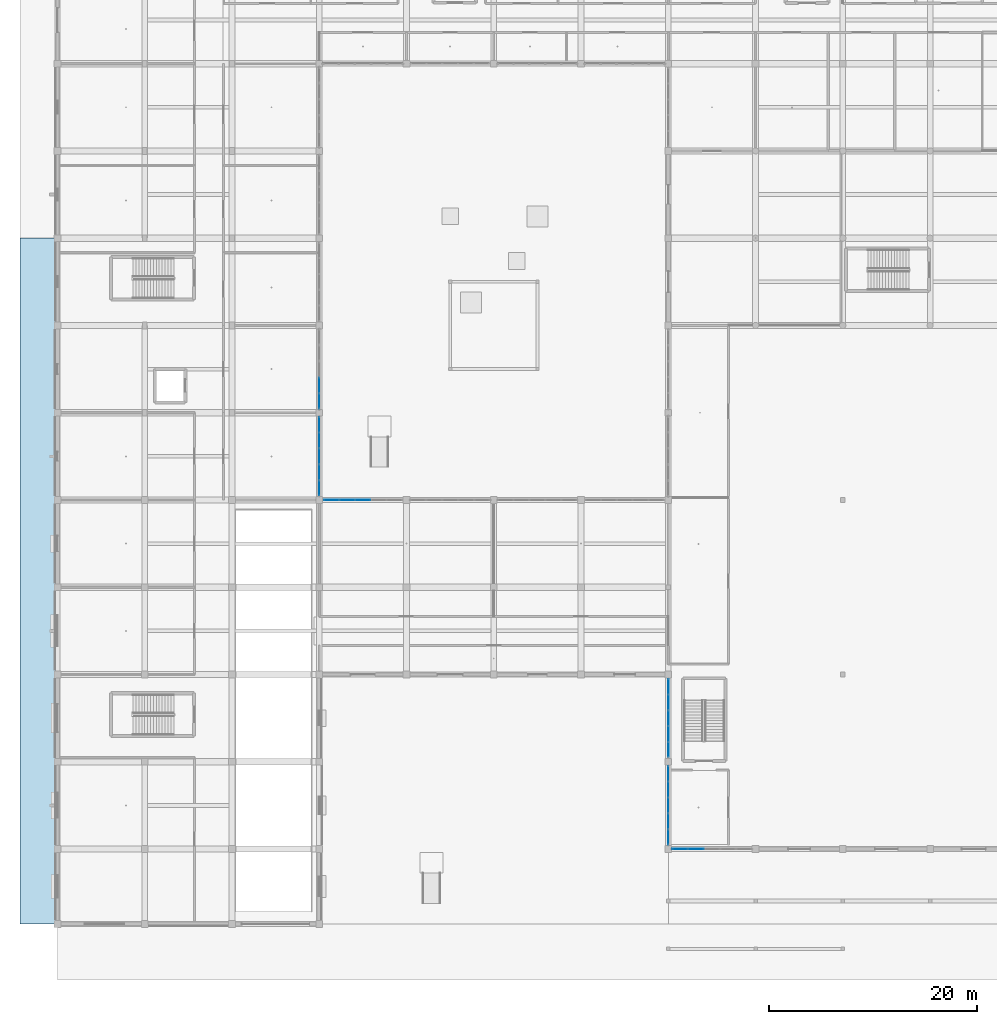
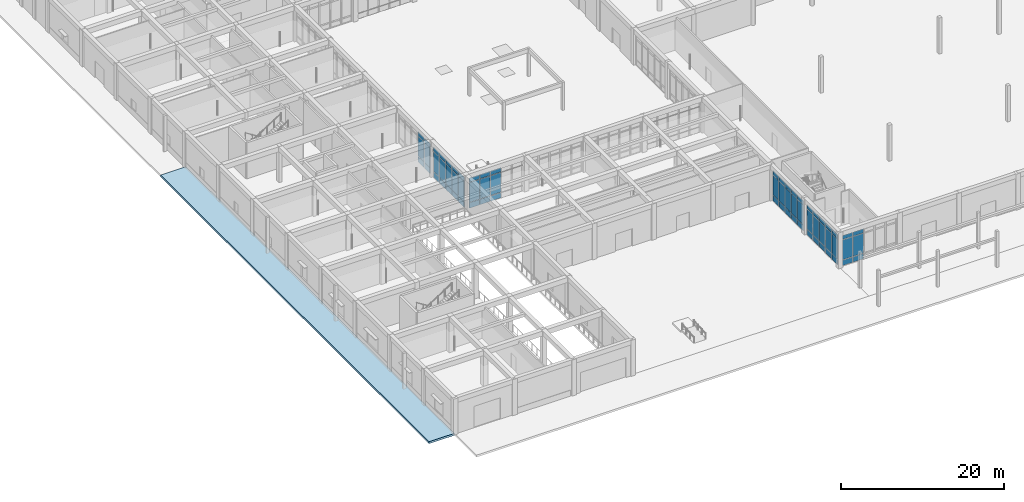
# One storey, part 45 of 167: 66 plates, 1 slab, 6 elements without a shape of their own.
"""IFC4 building model written with IfcOpenShell, lengths in metres."""

from ifc_helpers import new_model, si_unit, direction, frame, origin, origin_2d, place, context, subcontext, project, spatial, polyline, rectangle, outline, extrude, material, layer, layer_set, type_object, element, aggregate, save


model = new_model("IFC4")

# Units and contexts
model_context = context("Model", 3, precision=1e-05, world=origin(), true_north=direction((0.0, 1.0)))
body_context = subcontext(model_context, "Body", "Model", "MODEL_VIEW")
ifc_project = project(units=[si_unit("LENGTHUNIT", "METRE"), si_unit("AREAUNIT", "SQUARE_METRE"), si_unit("VOLUMEUNIT", "CUBIC_METRE"), si_unit("PLANEANGLEUNIT", "RADIAN"), si_unit("MASSUNIT", "GRAM", prefix="KILO")], contexts=[model_context])

# Site, building, storey
site_placement = place(None, origin())
site = spatial("IfcSite", under=ifc_project, at=site_placement, CompositionType="ELEMENT")
building_placement = place(site_placement, origin())
building = spatial("IfcBuilding", under=site, at=building_placement, Name="Varncliffe General Hospital", CompositionType="ELEMENT")
storey_placement = place(building_placement, origin())
storey = spatial("IfcBuildingStorey", under=building, at=storey_placement, Name="L00", CompositionType="ELEMENT", Elevation=0.0)

# Curtain wall, plates
ifc_material_1 = material(Name="Triple low-E argon insulated vision glazing", Category="glass")
curtain_wall_type_1 = type_object("IfcCurtainWallType", Name="Unitised Glazed Curtain Wall CW26 (7594x4640)", PredefinedType="USERDEFINED", material=ifc_material_1)
curtain_wall_1_placement = place(storey_placement, origin())
curtain_wall_1 = element("IfcCurtainWall", 1, at=curtain_wall_1_placement, inside=storey, type_object=curtain_wall_type_1, Name="L00 Glazed Curtain Wall CW26-11", ObjectType="GLAZED CURTAIN WALL", PredefinedType="USERDEFINED")
ifc_layer_1 = layer(ifc_material_1, 0.0439453125)
ifc_layer_set_1 = layer_set([ifc_layer_1], Name="Triple low-E argon insulated vision glazing")
plate_type_1 = type_object("IfcPlateType", Name="Curtain Wall Glazing Panel CP12 (44mm)", PredefinedType="CURTAIN_PANEL", material=ifc_layer_set_1)
plate_1_placement = place(storey_placement, frame((58.800048828125, 16.778564453125, 0.06005859375), z_axis=(0.0, 0.0, 1.0), x_axis=(0.0, 1.0, 0.0)))
plate_1 = element("IfcPlate", 2, at=plate_1_placement, type_object=plate_type_1, Name="CW26 panel 1.1", PredefinedType="CURTAIN_PANEL", context=body_context, shape_type="SweptSolid", body=[
    extrude(rectangle(XDim=1.42138671875, YDim=0.0439453125, at=origin_2d()), origin(), (0.0, 0.0, 1.0), 0.81005859375),
])
plate_2_placement = place(storey_placement, frame((58.800048828125, 16.778564453125, 0.929931640625), z_axis=(0.0, 0.0, 1.0), x_axis=(0.0, 1.0, 0.0)))
plate_2 = element("IfcPlate", 3, at=plate_2_placement, type_object=plate_type_1, Name="CW26 panel 1.2", PredefinedType="CURTAIN_PANEL", context=body_context, shape_type="SweptSolid", body=[
    extrude(rectangle(XDim=1.42138671875, YDim=0.0439453125, at=origin_2d()), origin(), (0.0, 0.0, 1.0), 2.97998046875),
])
plate_3_placement = place(storey_placement, frame((58.800048828125, 16.778564453125, 3.9697265625), z_axis=(0.0, 0.0, 1.0), x_axis=(0.0, 1.0, 0.0)))
plate_3 = element("IfcPlate", 4, at=plate_3_placement, type_object=plate_type_1, Name="CW26 panel 1.3", PredefinedType="CURTAIN_PANEL", context=body_context, shape_type="SweptSolid", body=[
    extrude(rectangle(XDim=1.42138671875, YDim=0.0439453125, at=origin_2d()), origin(), (0.0, 0.0, 1.0), 0.610107421875),
])
plate_4_placement = place(storey_placement, frame((58.800048828125, 18.28125, 0.06005859375), z_axis=(0.0, 0.0, 1.0), x_axis=(0.0, 1.0, 0.0)))
plate_4 = element("IfcPlate", 5, at=plate_4_placement, type_object=plate_type_1, Name="CW26 panel 2.1", PredefinedType="CURTAIN_PANEL", context=body_context, shape_type="SweptSolid", body=[
    extrude(rectangle(XDim=1.453857421875, YDim=0.0439453125, at=origin_2d()), origin(), (0.0, 0.0, 1.0), 0.81005859375),
])
plate_5_placement = place(storey_placement, frame((58.800048828125, 18.28125, 0.929931640625), z_axis=(0.0, 0.0, 1.0), x_axis=(0.0, 1.0, 0.0)))
plate_5 = element("IfcPlate", 6, at=plate_5_placement, type_object=plate_type_1, Name="CW26 panel 2.2", PredefinedType="CURTAIN_PANEL", context=body_context, shape_type="SweptSolid", body=[
    extrude(rectangle(XDim=1.453857421875, YDim=0.0439453125, at=origin_2d()), origin(), (0.0, 0.0, 1.0), 2.97998046875),
])
plate_6_placement = place(storey_placement, frame((58.800048828125, 18.28125, 3.9697265625), z_axis=(0.0, 0.0, 1.0), x_axis=(0.0, 1.0, 0.0)))
plate_6 = element("IfcPlate", 7, at=plate_6_placement, type_object=plate_type_1, Name="CW26 panel 2.3", PredefinedType="CURTAIN_PANEL", context=body_context, shape_type="SweptSolid", body=[
    extrude(rectangle(XDim=1.453857421875, YDim=0.0439453125, at=origin_2d()), origin(), (0.0, 0.0, 1.0), 0.610107421875),
])
plate_7_placement = place(storey_placement, frame((58.800048828125, 19.800048828125, 0.06005859375), z_axis=(0.0, 0.0, 1.0), x_axis=(0.0, 1.0, 0.0)))
plate_7 = element("IfcPlate", 8, at=plate_7_placement, type_object=plate_type_1, Name="CW26 panel 3.1", PredefinedType="CURTAIN_PANEL", context=body_context, shape_type="SweptSolid", body=[
    extrude(rectangle(XDim=1.453857421875, YDim=0.0439453125, at=origin_2d()), origin(), (0.0, 0.0, 1.0), 0.81005859375),
])
plate_8_placement = place(storey_placement, frame((58.800048828125, 19.800048828125, 0.929931640625), z_axis=(0.0, 0.0, 1.0), x_axis=(0.0, 1.0, 0.0)))
plate_8 = element("IfcPlate", 9, at=plate_8_placement, type_object=plate_type_1, Name="CW26 panel 3.2", PredefinedType="CURTAIN_PANEL", context=body_context, shape_type="SweptSolid", body=[
    extrude(rectangle(XDim=1.453857421875, YDim=0.0439453125, at=origin_2d()), origin(), (0.0, 0.0, 1.0), 2.97998046875),
])
plate_9_placement = place(storey_placement, frame((58.800048828125, 19.800048828125, 3.9697265625), z_axis=(0.0, 0.0, 1.0), x_axis=(0.0, 1.0, 0.0)))
plate_9 = element("IfcPlate", 10, at=plate_9_placement, type_object=plate_type_1, Name="CW26 panel 3.3", PredefinedType="CURTAIN_PANEL", context=body_context, shape_type="SweptSolid", body=[
    extrude(rectangle(XDim=1.453857421875, YDim=0.0439453125, at=origin_2d()), origin(), (0.0, 0.0, 1.0), 0.610107421875),
])
plate_10_placement = place(storey_placement, frame((58.800048828125, 21.31884765625, 0.06005859375), z_axis=(0.0, 0.0, 1.0), x_axis=(0.0, 1.0, 0.0)))
plate_10 = element("IfcPlate", 11, at=plate_10_placement, type_object=plate_type_1, Name="CW26 panel 4.1", PredefinedType="CURTAIN_PANEL", context=body_context, shape_type="SweptSolid", body=[
    extrude(rectangle(XDim=1.453857421875, YDim=0.0439453125, at=origin_2d()), origin(), (0.0, 0.0, 1.0), 0.81005859375),
])
plate_11_placement = place(storey_placement, frame((58.800048828125, 21.31884765625, 0.929931640625), z_axis=(0.0, 0.0, 1.0), x_axis=(0.0, 1.0, 0.0)))
plate_11 = element("IfcPlate", 12, at=plate_11_placement, type_object=plate_type_1, Name="CW26 panel 4.2", PredefinedType="CURTAIN_PANEL", context=body_context, shape_type="SweptSolid", body=[
    extrude(rectangle(XDim=1.453857421875, YDim=0.0439453125, at=origin_2d()), origin(), (0.0, 0.0, 1.0), 2.97998046875),
])
plate_12_placement = place(storey_placement, frame((58.800048828125, 21.31884765625, 3.9697265625), z_axis=(0.0, 0.0, 1.0), x_axis=(0.0, 1.0, 0.0)))
plate_12 = element("IfcPlate", 13, at=plate_12_placement, type_object=plate_type_1, Name="CW26 panel 4.3", PredefinedType="CURTAIN_PANEL", context=body_context, shape_type="SweptSolid", body=[
    extrude(rectangle(XDim=1.453857421875, YDim=0.0439453125, at=origin_2d()), origin(), (0.0, 0.0, 1.0), 0.610107421875),
])
plate_13_placement = place(storey_placement, frame((58.800048828125, 22.8212890625, 0.06005859375), z_axis=(0.0, 0.0, 1.0), x_axis=(0.0, 1.0, 0.0)))
plate_13 = element("IfcPlate", 14, at=plate_13_placement, type_object=plate_type_1, Name="CW26 panel 5.1", PredefinedType="CURTAIN_PANEL", context=body_context, shape_type="SweptSolid", body=[
    extrude(rectangle(XDim=1.42138671875, YDim=0.0439453125, at=origin_2d()), origin(), (0.0, 0.0, 1.0), 0.81005859375),
])
plate_14_placement = place(storey_placement, frame((58.800048828125, 22.8212890625, 0.929931640625), z_axis=(0.0, 0.0, 1.0), x_axis=(0.0, 1.0, 0.0)))
plate_14 = element("IfcPlate", 15, at=plate_14_placement, type_object=plate_type_1, Name="CW26 panel 5.2", PredefinedType="CURTAIN_PANEL", context=body_context, shape_type="SweptSolid", body=[
    extrude(rectangle(XDim=1.42138671875, YDim=0.0439453125, at=origin_2d()), origin(), (0.0, 0.0, 1.0), 2.97998046875),
])
plate_15_placement = place(storey_placement, frame((58.800048828125, 22.8212890625, 3.9697265625), z_axis=(0.0, 0.0, 1.0), x_axis=(0.0, 1.0, 0.0)))
plate_15 = element("IfcPlate", 16, at=plate_15_placement, type_object=plate_type_1, Name="CW26 panel 5.3", PredefinedType="CURTAIN_PANEL", context=body_context, shape_type="SweptSolid", body=[
    extrude(rectangle(XDim=1.42138671875, YDim=0.0439453125, at=origin_2d()), origin(), (0.0, 0.0, 1.0), 0.610107421875),
])
aggregate(curtain_wall_1, [plate_1, plate_2, plate_3, plate_4, plate_5, plate_6, plate_7, plate_8, plate_9, plate_10, plate_11, plate_12, plate_13, plate_14, plate_15])

curtain_wall_2_placement = place(storey_placement, origin())
curtain_wall_2 = element("IfcCurtainWall", 17, at=curtain_wall_2_placement, inside=storey, type_object=curtain_wall_type_1, Name="L00 Glazed Curtain Wall CW26-17", ObjectType="GLAZED CURTAIN WALL", PredefinedType="USERDEFINED")
plate_16_placement = place(storey_placement, frame((26.378662109375, 40.800048828125, 0.06005859375), z_axis=(0.0, 0.0, 1.0), x_axis=(1.0, 0.0, 0.0)))
plate_16 = element("IfcPlate", 18, at=plate_16_placement, type_object=plate_type_1, Name="CW26 panel 1.1", PredefinedType="CURTAIN_PANEL", context=body_context, shape_type="SweptSolid", body=[
    extrude(rectangle(XDim=1.42138671875, YDim=0.0439453125, at=origin_2d()), origin(), (0.0, 0.0, 1.0), 0.81005859375),
])
plate_17_placement = place(storey_placement, frame((26.378662109375, 40.800048828125, 0.929931640625), z_axis=(0.0, 0.0, 1.0), x_axis=(1.0, 0.0, 0.0)))
plate_17 = element("IfcPlate", 19, at=plate_17_placement, type_object=plate_type_1, Name="CW26 panel 1.2", PredefinedType="CURTAIN_PANEL", context=body_context, shape_type="SweptSolid", body=[
    extrude(rectangle(XDim=1.42138671875, YDim=0.0439453125, at=origin_2d()), origin(), (0.0, 0.0, 1.0), 2.97998046875),
])
plate_18_placement = place(storey_placement, frame((26.378662109375, 40.800048828125, 3.9697265625), z_axis=(0.0, 0.0, 1.0), x_axis=(1.0, 0.0, 0.0)))
plate_18 = element("IfcPlate", 20, at=plate_18_placement, type_object=plate_type_1, Name="CW26 panel 1.3", PredefinedType="CURTAIN_PANEL", context=body_context, shape_type="SweptSolid", body=[
    extrude(rectangle(XDim=1.42138671875, YDim=0.0439453125, at=origin_2d()), origin(), (0.0, 0.0, 1.0), 0.610107421875),
])
plate_19_placement = place(storey_placement, frame((27.881103515625, 40.800048828125, 0.06005859375), z_axis=(0.0, 0.0, 1.0), x_axis=(1.0, 0.0, 0.0)))
plate_19 = element("IfcPlate", 21, at=plate_19_placement, type_object=plate_type_1, Name="CW26 panel 2.1", PredefinedType="CURTAIN_PANEL", context=body_context, shape_type="SweptSolid", body=[
    extrude(rectangle(XDim=1.453857421875, YDim=0.0439453125, at=origin_2d()), origin(), (0.0, 0.0, 1.0), 0.81005859375),
])
plate_20_placement = place(storey_placement, frame((27.881103515625, 40.800048828125, 0.929931640625), z_axis=(0.0, 0.0, 1.0), x_axis=(1.0, 0.0, 0.0)))
plate_20 = element("IfcPlate", 22, at=plate_20_placement, type_object=plate_type_1, Name="CW26 panel 2.2", PredefinedType="CURTAIN_PANEL", context=body_context, shape_type="SweptSolid", body=[
    extrude(rectangle(XDim=1.453857421875, YDim=0.0439453125, at=origin_2d()), origin(), (0.0, 0.0, 1.0), 2.97998046875),
])
plate_21_placement = place(storey_placement, frame((27.881103515625, 40.800048828125, 3.9697265625), z_axis=(0.0, 0.0, 1.0), x_axis=(1.0, 0.0, 0.0)))
plate_21 = element("IfcPlate", 23, at=plate_21_placement, type_object=plate_type_1, Name="CW26 panel 2.3", PredefinedType="CURTAIN_PANEL", context=body_context, shape_type="SweptSolid", body=[
    extrude(rectangle(XDim=1.453857421875, YDim=0.0439453125, at=origin_2d()), origin(), (0.0, 0.0, 1.0), 0.610107421875),
])
plate_22_placement = place(storey_placement, frame((29.39990234375, 40.800048828125, 0.06005859375), z_axis=(0.0, 0.0, 1.0), x_axis=(1.0, 0.0, 0.0)))
plate_22 = element("IfcPlate", 24, at=plate_22_placement, type_object=plate_type_1, Name="CW26 panel 3.1", PredefinedType="CURTAIN_PANEL", context=body_context, shape_type="SweptSolid", body=[
    extrude(rectangle(XDim=1.453857421875, YDim=0.0439453125, at=origin_2d()), origin(), (0.0, 0.0, 1.0), 0.81005859375),
])
plate_23_placement = place(storey_placement, frame((29.39990234375, 40.800048828125, 0.929931640625), z_axis=(0.0, 0.0, 1.0), x_axis=(1.0, 0.0, 0.0)))
plate_23 = element("IfcPlate", 25, at=plate_23_placement, type_object=plate_type_1, Name="CW26 panel 3.2", PredefinedType="CURTAIN_PANEL", context=body_context, shape_type="SweptSolid", body=[
    extrude(rectangle(XDim=1.453857421875, YDim=0.0439453125, at=origin_2d()), origin(), (0.0, 0.0, 1.0), 2.97998046875),
])
plate_24_placement = place(storey_placement, frame((29.39990234375, 40.800048828125, 3.9697265625), z_axis=(0.0, 0.0, 1.0), x_axis=(1.0, 0.0, 0.0)))
plate_24 = element("IfcPlate", 26, at=plate_24_placement, type_object=plate_type_1, Name="CW26 panel 3.3", PredefinedType="CURTAIN_PANEL", context=body_context, shape_type="SweptSolid", body=[
    extrude(rectangle(XDim=1.453857421875, YDim=0.0439453125, at=origin_2d()), origin(), (0.0, 0.0, 1.0), 0.610107421875),
])
aggregate(curtain_wall_2, [plate_16, plate_17, plate_18, plate_19, plate_20, plate_21, plate_22, plate_23, plate_24])

curtain_wall_type_2 = type_object("IfcCurtainWallType", Name="Unitised Glazed Curtain Wall CW15 (7674x4640)", PredefinedType="USERDEFINED", material=ifc_material_1)
curtain_wall_3_placement = place(storey_placement, origin())
curtain_wall_3 = element("IfcCurtainWall", 27, at=curtain_wall_3_placement, inside=storey, type_object=curtain_wall_type_2, Name="L00 Glazed Curtain Wall CW15-10", ObjectType="GLAZED CURTAIN WALL", PredefinedType="USERDEFINED")
ifc_layer_2 = layer(ifc_material_1, 0.035888671875)
ifc_layer_set_2 = layer_set([ifc_layer_2], Name="Triple low-E argon insulated vision glazing")
plate_type_2 = type_object("IfcPlateType", Name="Curtain Wall Glazing Panel CP27 (36mm)", PredefinedType="CURTAIN_PANEL", material=ifc_layer_set_2)
plate_25_placement = place(storey_placement, frame((58.800048828125, 8.34912109375, 0.06005859375), z_axis=(0.0, 0.0, 1.0), x_axis=(0.0, 1.0, 0.0)))
plate_25 = element("IfcPlate", 28, at=plate_25_placement, type_object=plate_type_2, Name="CW15 panel 1.1", PredefinedType="CURTAIN_PANEL", context=body_context, shape_type="SweptSolid", body=[
    extrude(rectangle(XDim=1.42236328125, YDim=0.035888671875, at=origin_2d()), origin(), (0.0, 0.0, 1.0), 0.81005859375),
])
plate_26_placement = place(storey_placement, frame((58.800048828125, 8.34912109375, 0.929931640625), z_axis=(0.0, 0.0, 1.0), x_axis=(0.0, 1.0, 0.0)))
plate_26 = element("IfcPlate", 29, at=plate_26_placement, type_object=plate_type_2, Name="CW15 panel 1.2", PredefinedType="CURTAIN_PANEL", context=body_context, shape_type="SweptSolid", body=[
    extrude(rectangle(XDim=1.42236328125, YDim=0.035888671875, at=origin_2d()), origin(), (0.0, 0.0, 1.0), 2.97998046875),
])
plate_27_placement = place(storey_placement, frame((58.800048828125, 8.34912109375, 3.9697265625), z_axis=(0.0, 0.0, 1.0), x_axis=(0.0, 1.0, 0.0)))
plate_27 = element("IfcPlate", 30, at=plate_27_placement, type_object=plate_type_2, Name="CW15 panel 1.3", PredefinedType="CURTAIN_PANEL", context=body_context, shape_type="SweptSolid", body=[
    extrude(rectangle(XDim=1.42236328125, YDim=0.035888671875, at=origin_2d()), origin(), (0.0, 0.0, 1.0), 0.610107421875),
])
plate_28_placement = place(storey_placement, frame((58.800048828125, 9.865234375, 0.06005859375), z_axis=(0.0, 0.0, 1.0), x_axis=(0.0, 1.0, 0.0)))
plate_28 = element("IfcPlate", 31, at=plate_28_placement, type_object=plate_type_2, Name="CW15 panel 2.1", PredefinedType="CURTAIN_PANEL", context=body_context, shape_type="SweptSolid", body=[
    extrude(rectangle(XDim=1.459716796875, YDim=0.035888671875, at=origin_2d()), origin(), (0.0, 0.0, 1.0), 0.81005859375),
])
plate_29_placement = place(storey_placement, frame((58.800048828125, 9.865234375, 0.929931640625), z_axis=(0.0, 0.0, 1.0), x_axis=(0.0, 1.0, 0.0)))
plate_29 = element("IfcPlate", 32, at=plate_29_placement, type_object=plate_type_2, Name="CW15 panel 2.2", PredefinedType="CURTAIN_PANEL", context=body_context, shape_type="SweptSolid", body=[
    extrude(rectangle(XDim=1.459716796875, YDim=0.035888671875, at=origin_2d()), origin(), (0.0, 0.0, 1.0), 2.97998046875),
])
plate_30_placement = place(storey_placement, frame((58.800048828125, 9.865234375, 3.9697265625), z_axis=(0.0, 0.0, 1.0), x_axis=(0.0, 1.0, 0.0)))
plate_30 = element("IfcPlate", 33, at=plate_30_placement, type_object=plate_type_2, Name="CW15 panel 2.3", PredefinedType="CURTAIN_PANEL", context=body_context, shape_type="SweptSolid", body=[
    extrude(rectangle(XDim=1.459716796875, YDim=0.035888671875, at=origin_2d()), origin(), (0.0, 0.0, 1.0), 0.610107421875),
])
plate_31_placement = place(storey_placement, frame((58.800048828125, 11.39990234375, 0.06005859375), z_axis=(0.0, 0.0, 1.0), x_axis=(0.0, 1.0, 0.0)))
plate_31 = element("IfcPlate", 34, at=plate_31_placement, type_object=plate_type_2, Name="CW15 panel 3.1", PredefinedType="CURTAIN_PANEL", context=body_context, shape_type="SweptSolid", body=[
    extrude(rectangle(XDim=1.459716796875, YDim=0.035888671875, at=origin_2d()), origin(), (0.0, 0.0, 1.0), 0.81005859375),
])
plate_32_placement = place(storey_placement, frame((58.800048828125, 11.39990234375, 0.929931640625), z_axis=(0.0, 0.0, 1.0), x_axis=(0.0, 1.0, 0.0)))
plate_32 = element("IfcPlate", 35, at=plate_32_placement, type_object=plate_type_2, Name="CW15 panel 3.2", PredefinedType="CURTAIN_PANEL", context=body_context, shape_type="SweptSolid", body=[
    extrude(rectangle(XDim=1.459716796875, YDim=0.035888671875, at=origin_2d()), origin(), (0.0, 0.0, 1.0), 2.97998046875),
])
plate_33_placement = place(storey_placement, frame((58.800048828125, 11.39990234375, 3.9697265625), z_axis=(0.0, 0.0, 1.0), x_axis=(0.0, 1.0, 0.0)))
plate_33 = element("IfcPlate", 36, at=plate_33_placement, type_object=plate_type_2, Name="CW15 panel 3.3", PredefinedType="CURTAIN_PANEL", context=body_context, shape_type="SweptSolid", body=[
    extrude(rectangle(XDim=1.459716796875, YDim=0.035888671875, at=origin_2d()), origin(), (0.0, 0.0, 1.0), 0.610107421875),
])
plate_34_placement = place(storey_placement, frame((58.800048828125, 12.934814453125, 0.06005859375), z_axis=(0.0, 0.0, 1.0), x_axis=(0.0, 1.0, 0.0)))
plate_34 = element("IfcPlate", 37, at=plate_34_placement, type_object=plate_type_2, Name="CW15 panel 4.1", PredefinedType="CURTAIN_PANEL", context=body_context, shape_type="SweptSolid", body=[
    extrude(rectangle(XDim=1.459716796875, YDim=0.035888671875, at=origin_2d()), origin(), (0.0, 0.0, 1.0), 0.81005859375),
])
plate_35_placement = place(storey_placement, frame((58.800048828125, 12.934814453125, 0.929931640625), z_axis=(0.0, 0.0, 1.0), x_axis=(0.0, 1.0, 0.0)))
plate_35 = element("IfcPlate", 38, at=plate_35_placement, type_object=plate_type_2, Name="CW15 panel 4.2", PredefinedType="CURTAIN_PANEL", context=body_context, shape_type="SweptSolid", body=[
    extrude(rectangle(XDim=1.459716796875, YDim=0.035888671875, at=origin_2d()), origin(), (0.0, 0.0, 1.0), 2.97998046875),
])
plate_36_placement = place(storey_placement, frame((58.800048828125, 12.934814453125, 3.9697265625), z_axis=(0.0, 0.0, 1.0), x_axis=(0.0, 1.0, 0.0)))
plate_36 = element("IfcPlate", 39, at=plate_36_placement, type_object=plate_type_2, Name="CW15 panel 4.3", PredefinedType="CURTAIN_PANEL", context=body_context, shape_type="SweptSolid", body=[
    extrude(rectangle(XDim=1.459716796875, YDim=0.035888671875, at=origin_2d()), origin(), (0.0, 0.0, 1.0), 0.610107421875),
])
plate_37_placement = place(storey_placement, frame((58.800048828125, 14.450927734375, 0.06005859375), z_axis=(0.0, 0.0, 1.0), x_axis=(0.0, 1.0, 0.0)))
plate_37 = element("IfcPlate", 40, at=plate_37_placement, type_object=plate_type_2, Name="CW15 panel 5.1", PredefinedType="CURTAIN_PANEL", context=body_context, shape_type="SweptSolid", body=[
    extrude(rectangle(XDim=1.42236328125, YDim=0.035888671875, at=origin_2d()), origin(), (0.0, 0.0, 1.0), 0.81005859375),
])
plate_38_placement = place(storey_placement, frame((58.800048828125, 14.450927734375, 0.929931640625), z_axis=(0.0, 0.0, 1.0), x_axis=(0.0, 1.0, 0.0)))
plate_38 = element("IfcPlate", 41, at=plate_38_placement, type_object=plate_type_2, Name="CW15 panel 5.2", PredefinedType="CURTAIN_PANEL", context=body_context, shape_type="SweptSolid", body=[
    extrude(rectangle(XDim=1.42236328125, YDim=0.035888671875, at=origin_2d()), origin(), (0.0, 0.0, 1.0), 2.97998046875),
])
plate_39_placement = place(storey_placement, frame((58.800048828125, 14.450927734375, 3.9697265625), z_axis=(0.0, 0.0, 1.0), x_axis=(0.0, 1.0, 0.0)))
plate_39 = element("IfcPlate", 42, at=plate_39_placement, type_object=plate_type_2, Name="CW15 panel 5.3", PredefinedType="CURTAIN_PANEL", context=body_context, shape_type="SweptSolid", body=[
    extrude(rectangle(XDim=1.42236328125, YDim=0.035888671875, at=origin_2d()), origin(), (0.0, 0.0, 1.0), 0.610107421875),
])
aggregate(curtain_wall_3, [plate_25, plate_26, plate_27, plate_28, plate_29, plate_30, plate_31, plate_32, plate_33, plate_34, plate_35, plate_36, plate_37, plate_38, plate_39])

curtain_wall_4_placement = place(storey_placement, origin())
curtain_wall_4 = element("IfcCurtainWall", 43, at=curtain_wall_4_placement, inside=storey, type_object=curtain_wall_type_2, Name="L00 Glazed Curtain Wall CW15-16", ObjectType="GLAZED CURTAIN WALL", PredefinedType="USERDEFINED")
plate_40_placement = place(storey_placement, frame((25.199951171875, 48.05078125, 0.06005859375), z_axis=(0.0, 0.0, 1.0), x_axis=(0.0, -1.0, 0.0)))
plate_40 = element("IfcPlate", 44, at=plate_40_placement, type_object=plate_type_2, Name="CW15 panel 1.1", PredefinedType="CURTAIN_PANEL", context=body_context, shape_type="SweptSolid", body=[
    extrude(rectangle(XDim=1.42236328125, YDim=0.035888671875, at=origin_2d()), origin(), (0.0, 0.0, 1.0), 0.81005859375),
])
plate_41_placement = place(storey_placement, frame((25.199951171875, 48.05078125, 0.929931640625), z_axis=(0.0, 0.0, 1.0), x_axis=(0.0, -1.0, 0.0)))
plate_41 = element("IfcPlate", 45, at=plate_41_placement, type_object=plate_type_2, Name="CW15 panel 1.2", PredefinedType="CURTAIN_PANEL", context=body_context, shape_type="SweptSolid", body=[
    extrude(rectangle(XDim=1.42236328125, YDim=0.035888671875, at=origin_2d()), origin(), (0.0, 0.0, 1.0), 2.97998046875),
])
plate_42_placement = place(storey_placement, frame((25.199951171875, 48.05078125, 3.9697265625), z_axis=(0.0, 0.0, 1.0), x_axis=(0.0, -1.0, 0.0)))
plate_42 = element("IfcPlate", 46, at=plate_42_placement, type_object=plate_type_2, Name="CW15 panel 1.3", PredefinedType="CURTAIN_PANEL", context=body_context, shape_type="SweptSolid", body=[
    extrude(rectangle(XDim=1.42236328125, YDim=0.035888671875, at=origin_2d()), origin(), (0.0, 0.0, 1.0), 0.610107421875),
])
plate_43_placement = place(storey_placement, frame((25.199951171875, 46.534912109375, 0.06005859375), z_axis=(0.0, 0.0, 1.0), x_axis=(0.0, -1.0, 0.0)))
plate_43 = element("IfcPlate", 47, at=plate_43_placement, type_object=plate_type_2, Name="CW15 panel 2.1", PredefinedType="CURTAIN_PANEL", context=body_context, shape_type="SweptSolid", body=[
    extrude(rectangle(XDim=1.459716796875, YDim=0.035888671875, at=origin_2d()), origin(), (0.0, 0.0, 1.0), 0.81005859375),
])
plate_44_placement = place(storey_placement, frame((25.199951171875, 46.534912109375, 0.929931640625), z_axis=(0.0, 0.0, 1.0), x_axis=(0.0, -1.0, 0.0)))
plate_44 = element("IfcPlate", 48, at=plate_44_placement, type_object=plate_type_2, Name="CW15 panel 2.2", PredefinedType="CURTAIN_PANEL", context=body_context, shape_type="SweptSolid", body=[
    extrude(rectangle(XDim=1.459716796875, YDim=0.035888671875, at=origin_2d()), origin(), (0.0, 0.0, 1.0), 2.97998046875),
])
plate_45_placement = place(storey_placement, frame((25.199951171875, 46.534912109375, 3.9697265625), z_axis=(0.0, 0.0, 1.0), x_axis=(0.0, -1.0, 0.0)))
plate_45 = element("IfcPlate", 49, at=plate_45_placement, type_object=plate_type_2, Name="CW15 panel 2.3", PredefinedType="CURTAIN_PANEL", context=body_context, shape_type="SweptSolid", body=[
    extrude(rectangle(XDim=1.459716796875, YDim=0.035888671875, at=origin_2d()), origin(), (0.0, 0.0, 1.0), 0.610107421875),
])
plate_46_placement = place(storey_placement, frame((25.199951171875, 45.0, 0.06005859375), z_axis=(0.0, 0.0, 1.0), x_axis=(0.0, -1.0, 0.0)))
plate_46 = element("IfcPlate", 50, at=plate_46_placement, type_object=plate_type_2, Name="CW15 panel 3.1", PredefinedType="CURTAIN_PANEL", context=body_context, shape_type="SweptSolid", body=[
    extrude(rectangle(XDim=1.459716796875, YDim=0.035888671875, at=origin_2d()), origin(), (0.0, 0.0, 1.0), 0.81005859375),
])
plate_47_placement = place(storey_placement, frame((25.199951171875, 45.0, 0.929931640625), z_axis=(0.0, 0.0, 1.0), x_axis=(0.0, -1.0, 0.0)))
plate_47 = element("IfcPlate", 51, at=plate_47_placement, type_object=plate_type_2, Name="CW15 panel 3.2", PredefinedType="CURTAIN_PANEL", context=body_context, shape_type="SweptSolid", body=[
    extrude(rectangle(XDim=1.459716796875, YDim=0.035888671875, at=origin_2d()), origin(), (0.0, 0.0, 1.0), 2.97998046875),
])
plate_48_placement = place(storey_placement, frame((25.199951171875, 45.0, 3.9697265625), z_axis=(0.0, 0.0, 1.0), x_axis=(0.0, -1.0, 0.0)))
plate_48 = element("IfcPlate", 52, at=plate_48_placement, type_object=plate_type_2, Name="CW15 panel 3.3", PredefinedType="CURTAIN_PANEL", context=body_context, shape_type="SweptSolid", body=[
    extrude(rectangle(XDim=1.459716796875, YDim=0.035888671875, at=origin_2d()), origin(), (0.0, 0.0, 1.0), 0.610107421875),
])
plate_49_placement = place(storey_placement, frame((25.199951171875, 43.465087890625, 0.06005859375), z_axis=(0.0, 0.0, 1.0), x_axis=(0.0, -1.0, 0.0)))
plate_49 = element("IfcPlate", 53, at=plate_49_placement, type_object=plate_type_2, Name="CW15 panel 4.1", PredefinedType="CURTAIN_PANEL", context=body_context, shape_type="SweptSolid", body=[
    extrude(rectangle(XDim=1.459716796875, YDim=0.035888671875, at=origin_2d()), origin(), (0.0, 0.0, 1.0), 0.81005859375),
])
plate_50_placement = place(storey_placement, frame((25.199951171875, 43.465087890625, 0.929931640625), z_axis=(0.0, 0.0, 1.0), x_axis=(0.0, -1.0, 0.0)))
plate_50 = element("IfcPlate", 54, at=plate_50_placement, type_object=plate_type_2, Name="CW15 panel 4.2", PredefinedType="CURTAIN_PANEL", context=body_context, shape_type="SweptSolid", body=[
    extrude(rectangle(XDim=1.459716796875, YDim=0.035888671875, at=origin_2d()), origin(), (0.0, 0.0, 1.0), 2.97998046875),
])
plate_51_placement = place(storey_placement, frame((25.199951171875, 43.465087890625, 3.9697265625), z_axis=(0.0, 0.0, 1.0), x_axis=(0.0, -1.0, 0.0)))
plate_51 = element("IfcPlate", 55, at=plate_51_placement, type_object=plate_type_2, Name="CW15 panel 4.3", PredefinedType="CURTAIN_PANEL", context=body_context, shape_type="SweptSolid", body=[
    extrude(rectangle(XDim=1.459716796875, YDim=0.035888671875, at=origin_2d()), origin(), (0.0, 0.0, 1.0), 0.610107421875),
])
plate_52_placement = place(storey_placement, frame((25.199951171875, 41.94921875, 0.06005859375), z_axis=(0.0, 0.0, 1.0), x_axis=(0.0, -1.0, 0.0)))
plate_52 = element("IfcPlate", 56, at=plate_52_placement, type_object=plate_type_2, Name="CW15 panel 5.1", PredefinedType="CURTAIN_PANEL", context=body_context, shape_type="SweptSolid", body=[
    extrude(rectangle(XDim=1.42236328125, YDim=0.035888671875, at=origin_2d()), origin(), (0.0, 0.0, 1.0), 0.81005859375),
])
plate_53_placement = place(storey_placement, frame((25.199951171875, 41.94921875, 0.929931640625), z_axis=(0.0, 0.0, 1.0), x_axis=(0.0, -1.0, 0.0)))
plate_53 = element("IfcPlate", 57, at=plate_53_placement, type_object=plate_type_2, Name="CW15 panel 5.2", PredefinedType="CURTAIN_PANEL", context=body_context, shape_type="SweptSolid", body=[
    extrude(rectangle(XDim=1.42236328125, YDim=0.035888671875, at=origin_2d()), origin(), (0.0, 0.0, 1.0), 2.97998046875),
])
plate_54_placement = place(storey_placement, frame((25.199951171875, 41.94921875, 3.9697265625), z_axis=(0.0, 0.0, 1.0), x_axis=(0.0, -1.0, 0.0)))
plate_54 = element("IfcPlate", 58, at=plate_54_placement, type_object=plate_type_2, Name="CW15 panel 5.3", PredefinedType="CURTAIN_PANEL", context=body_context, shape_type="SweptSolid", body=[
    extrude(rectangle(XDim=1.42236328125, YDim=0.035888671875, at=origin_2d()), origin(), (0.0, 0.0, 1.0), 0.610107421875),
])
aggregate(curtain_wall_4, [plate_40, plate_41, plate_42, plate_43, plate_44, plate_45, plate_46, plate_47, plate_48, plate_49, plate_50, plate_51, plate_52, plate_53, plate_54])

curtain_wall_type_3 = type_object("IfcCurtainWallType", Name="Unitised Glazed Curtain Wall CW66 (7754x4640)", PredefinedType="USERDEFINED", material=ifc_material_1)
curtain_wall_5_placement = place(storey_placement, origin())
curtain_wall_5 = element("IfcCurtainWall", 59, at=curtain_wall_5_placement, inside=storey, type_object=curtain_wall_type_3, Name="L00 Glazed Curtain Wall CW66-9", ObjectType="GLAZED CURTAIN WALL", PredefinedType="USERDEFINED")
ifc_layer_3 = layer(ifc_material_1, 0.028076171875)
ifc_layer_set_3 = layer_set([ifc_layer_3], Name="Triple low-E argon insulated vision glazing")
plate_type_3 = type_object("IfcPlateType", Name="Curtain Wall Glazing Panel CP48 (28mm)", PredefinedType="CURTAIN_PANEL", material=ifc_layer_set_3)
plate_55_placement = place(storey_placement, frame((61.44921875, 7.199951171875, 0.06494140625), z_axis=(0.0, 0.0, 1.0), x_axis=(-1.0, 0.0, 0.0)))
plate_55 = element("IfcPlate", 60, at=plate_55_placement, type_object=plate_type_3, Name="CW66 panel 4.1", PredefinedType="CURTAIN_PANEL", context=body_context, shape_type="SweptSolid", body=[
    extrude(rectangle(XDim=1.475830078125, YDim=0.028076171875, at=origin_2d()), origin(), (0.0, 0.0, 1.0), 0.802490234375),
])
plate_56_placement = place(storey_placement, frame((61.44921875, 7.199951171875, 0.932373046875), z_axis=(0.0, 0.0, 1.0), x_axis=(-1.0, 0.0, 0.0)))
plate_56 = element("IfcPlate", 61, at=plate_56_placement, type_object=plate_type_3, Name="CW66 panel 4.2", PredefinedType="CURTAIN_PANEL", context=body_context, shape_type="SweptSolid", body=[
    extrude(rectangle(XDim=1.475830078125, YDim=0.028076171875, at=origin_2d()), origin(), (0.0, 0.0, 1.0), 2.97509765625),
])
plate_57_placement = place(storey_placement, frame((61.44921875, 7.199951171875, 3.972412109375), z_axis=(0.0, 0.0, 1.0), x_axis=(-1.0, 0.0, 0.0)))
plate_57 = element("IfcPlate", 62, at=plate_57_placement, type_object=plate_type_3, Name="CW66 panel 4.3", PredefinedType="CURTAIN_PANEL", context=body_context, shape_type="SweptSolid", body=[
    extrude(rectangle(XDim=1.475830078125, YDim=0.028076171875, at=origin_2d()), origin(), (0.0, 0.0, 1.0), 0.6025390625),
])
plate_58_placement = place(storey_placement, frame((59.917236328125, 7.199951171875, 0.06494140625), z_axis=(0.0, 0.0, 1.0), x_axis=(-1.0, 0.0, 0.0)))
plate_58 = element("IfcPlate", 63, at=plate_58_placement, type_object=plate_type_3, Name="CW66 panel 5.1", PredefinedType="CURTAIN_PANEL", context=body_context, shape_type="SweptSolid", body=[
    extrude(rectangle(XDim=1.438232421875, YDim=0.028076171875, at=origin_2d()), origin(), (0.0, 0.0, 1.0), 0.802490234375),
])
plate_59_placement = place(storey_placement, frame((59.917236328125, 7.199951171875, 0.932373046875), z_axis=(0.0, 0.0, 1.0), x_axis=(-1.0, 0.0, 0.0)))
plate_59 = element("IfcPlate", 64, at=plate_59_placement, type_object=plate_type_3, Name="CW66 panel 5.2", PredefinedType="CURTAIN_PANEL", context=body_context, shape_type="SweptSolid", body=[
    extrude(rectangle(XDim=1.438232421875, YDim=0.028076171875, at=origin_2d()), origin(), (0.0, 0.0, 1.0), 2.97509765625),
])
plate_60_placement = place(storey_placement, frame((59.917236328125, 7.199951171875, 3.972412109375), z_axis=(0.0, 0.0, 1.0), x_axis=(-1.0, 0.0, 0.0)))
plate_60 = element("IfcPlate", 65, at=plate_60_placement, type_object=plate_type_3, Name="CW66 panel 5.3", PredefinedType="CURTAIN_PANEL", context=body_context, shape_type="SweptSolid", body=[
    extrude(rectangle(XDim=1.438232421875, YDim=0.028076171875, at=origin_2d()), origin(), (0.0, 0.0, 1.0), 0.6025390625),
])
aggregate(curtain_wall_5, [plate_55, plate_56, plate_57, plate_58, plate_59, plate_60])

curtain_wall_6_placement = place(storey_placement, origin())
curtain_wall_6 = element("IfcCurtainWall", 66, at=curtain_wall_6_placement, inside=storey, type_object=curtain_wall_type_3, Name="L00 Glazed Curtain Wall CW66-15", ObjectType="GLAZED CURTAIN WALL", PredefinedType="USERDEFINED")
plate_61_placement = place(storey_placement, frame((25.199951171875, 51.84912109375, 0.06494140625), z_axis=(0.0, 0.0, 1.0), x_axis=(0.0, -1.0, 0.0)))
plate_61 = element("IfcPlate", 67, at=plate_61_placement, type_object=plate_type_3, Name="CW66 panel 4.1", PredefinedType="CURTAIN_PANEL", context=body_context, shape_type="SweptSolid", body=[
    extrude(rectangle(XDim=1.475830078125, YDim=0.028076171875, at=origin_2d()), origin(), (0.0, 0.0, 1.0), 0.802490234375),
])
plate_62_placement = place(storey_placement, frame((25.199951171875, 51.84912109375, 0.932373046875), z_axis=(0.0, 0.0, 1.0), x_axis=(0.0, -1.0, 0.0)))
plate_62 = element("IfcPlate", 68, at=plate_62_placement, type_object=plate_type_3, Name="CW66 panel 4.2", PredefinedType="CURTAIN_PANEL", context=body_context, shape_type="SweptSolid", body=[
    extrude(rectangle(XDim=1.475830078125, YDim=0.028076171875, at=origin_2d()), origin(), (0.0, 0.0, 1.0), 2.97509765625),
])
plate_63_placement = place(storey_placement, frame((25.199951171875, 51.84912109375, 3.972412109375), z_axis=(0.0, 0.0, 1.0), x_axis=(0.0, -1.0, 0.0)))
plate_63 = element("IfcPlate", 69, at=plate_63_placement, type_object=plate_type_3, Name="CW66 panel 4.3", PredefinedType="CURTAIN_PANEL", context=body_context, shape_type="SweptSolid", body=[
    extrude(rectangle(XDim=1.475830078125, YDim=0.028076171875, at=origin_2d()), origin(), (0.0, 0.0, 1.0), 0.6025390625),
])
plate_64_placement = place(storey_placement, frame((25.199951171875, 50.317138671875, 0.06494140625), z_axis=(0.0, 0.0, 1.0), x_axis=(0.0, -1.0, 0.0)))
plate_64 = element("IfcPlate", 70, at=plate_64_placement, type_object=plate_type_3, Name="CW66 panel 5.1", PredefinedType="CURTAIN_PANEL", context=body_context, shape_type="SweptSolid", body=[
    extrude(rectangle(XDim=1.438232421875, YDim=0.028076171875, at=origin_2d()), origin(), (0.0, 0.0, 1.0), 0.802490234375),
])
plate_65_placement = place(storey_placement, frame((25.199951171875, 50.317138671875, 0.932373046875), z_axis=(0.0, 0.0, 1.0), x_axis=(0.0, -1.0, 0.0)))
plate_65 = element("IfcPlate", 71, at=plate_65_placement, type_object=plate_type_3, Name="CW66 panel 5.2", PredefinedType="CURTAIN_PANEL", context=body_context, shape_type="SweptSolid", body=[
    extrude(rectangle(XDim=1.438232421875, YDim=0.028076171875, at=origin_2d()), origin(), (0.0, 0.0, 1.0), 2.97509765625),
])
plate_66_placement = place(storey_placement, frame((25.199951171875, 50.317138671875, 3.972412109375), z_axis=(0.0, 0.0, 1.0), x_axis=(0.0, -1.0, 0.0)))
plate_66 = element("IfcPlate", 72, at=plate_66_placement, type_object=plate_type_3, Name="CW66 panel 5.3", PredefinedType="CURTAIN_PANEL", context=body_context, shape_type="SweptSolid", body=[
    extrude(rectangle(XDim=1.438232421875, YDim=0.028076171875, at=origin_2d()), origin(), (0.0, 0.0, 1.0), 0.6025390625),
])
aggregate(curtain_wall_6, [plate_61, plate_62, plate_63, plate_64, plate_65, plate_66])

# Slab
ifc_material_2 = material(Name="Concrete C35/45 (CSA A23.1 35 MPa)", Category="concrete")
ifc_layer_4 = layer(ifc_material_2, 0.300048828125)
ifc_layer_set_4 = layer_set([ifc_layer_4], Name="Concrete C35/45 (CSA A23.1 35 MPa)")
slab_type = type_object("IfcSlabType", Name="Floor Slab SL54 (Ext 300mm)", PredefinedType="FLOOR", material=ifc_layer_set_4)
slab_placement = place(storey_placement, frame((0.0, 0.0, -0.300048828125)))
element("IfcSlab", 73, at=slab_placement, inside=storey, type_object=slab_type, Name="L00 West Street South Emergency Apron", PredefinedType="FLOOR", context=body_context, shape_type="SweptSolid", body=[
    extrude(outline(polyline([(-3.60009765625, 0.0), (0.0, 0.0), (0.0, 66.0), (-3.60009765625, 66.0), (-3.60009765625, 0.0)])), origin(), (0.0, 0.0, 1.0), 0.300048828125),
])

save(model, "model.ifc")
